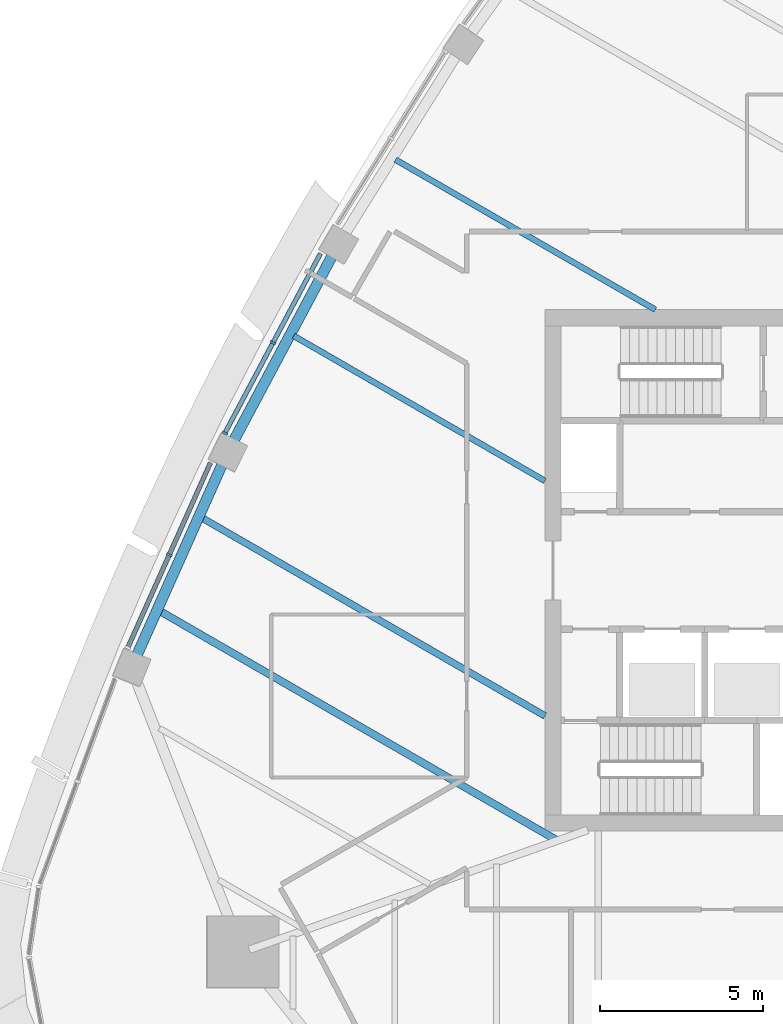
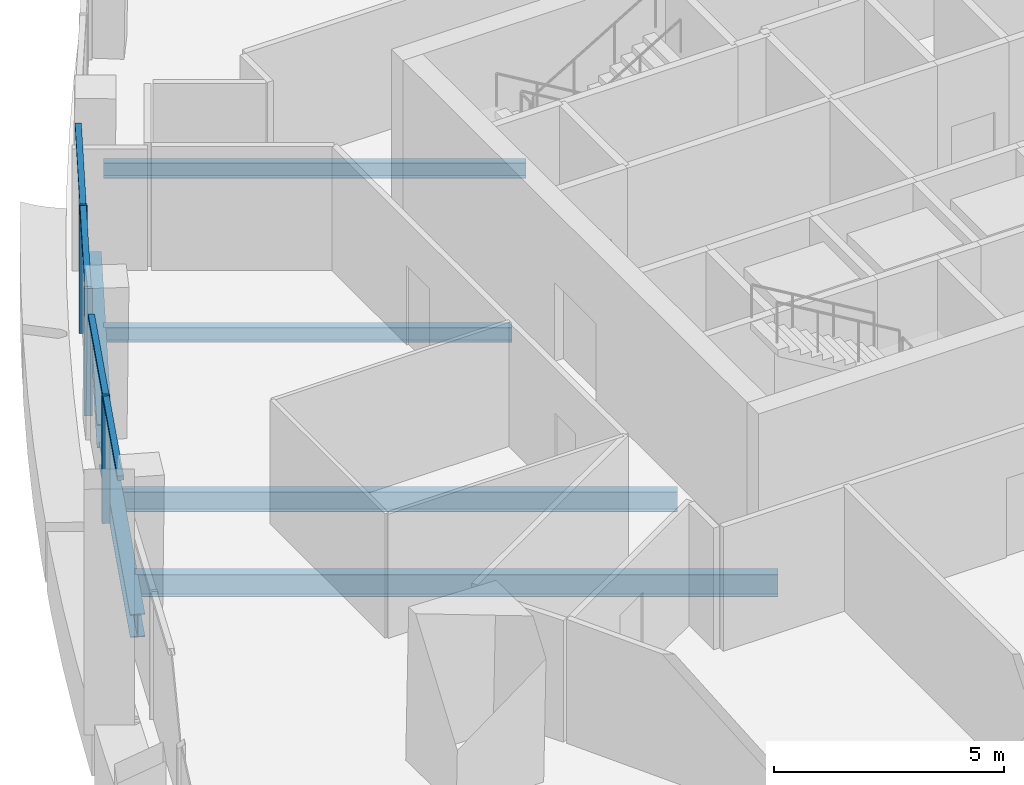
# One storey, part 3 of 16: 7 members, 6 beams, 2 elements without a shape of their own.
"""IFC4 building model written with IfcOpenShell, lengths in metres."""

from ifc_helpers import new_model, si_unit, direction, frame, origin, origin_2d, place, context, subcontext, project, spatial, rectangle, i_section, extrude, material, layer, layer_set, material_profile, profile_set, type_object, element, aggregate, save


model = new_model("IFC4")

# Units and contexts
model_context = context("Model", 3, precision=1e-05, world=origin(), true_north=direction((0.0, 1.0)))
body_context = subcontext(model_context, "Body", "Model", "MODEL_VIEW")
ifc_project = project(units=[si_unit("LENGTHUNIT", "METRE"), si_unit("AREAUNIT", "SQUARE_METRE"), si_unit("VOLUMEUNIT", "CUBIC_METRE"), si_unit("PLANEANGLEUNIT", "RADIAN"), si_unit("MASSUNIT", "GRAM", prefix="KILO")], contexts=[model_context])

# Site, building, storey
site_placement = place(None, origin())
site = spatial("IfcSite", under=ifc_project, at=site_placement, CompositionType="ELEMENT")
building_placement = place(site_placement, origin())
building = spatial("IfcBuilding", under=site, at=building_placement, Name="Sierra Prisma Convention Tower", CompositionType="ELEMENT")
storey_placement = place(building_placement, frame((0.0, 0.0, 303.0)))
storey = spatial("IfcBuildingStorey", under=building, at=storey_placement, Name="L69", CompositionType="ELEMENT", Elevation=303.0)

# Curtain wall, members
ifc_material_1 = material(Name="Aluminium and glass curtain wall", Category="aluminium")
ifc_layer = layer(ifc_material_1, 0.179931640625)
ifc_layer_set = layer_set([ifc_layer], Name="CW-1 Plain shaft curtain wall")
curtain_wall_type = type_object("IfcCurtainWallType", Name="CW-1 Plain shaft curtain wall", PredefinedType="NOTDEFINED", material=ifc_layer_set)
curtain_wall_1_placement = place(storey_placement, origin())
curtain_wall_1 = element("IfcCurtainWall", 1, at=curtain_wall_1_placement, inside=storey, type_object=curtain_wall_type, Name="CW-1 NW4 L69", PredefinedType="NOTDEFINED")
ifc_material_2 = material(Name="Aluminium 6063-T6 bronze anodised", Category="aluminium")
ifc_material_profile_1 = material_profile(ifc_material_2, rectangle(XDim=0.179931640625, YDim=0.070068359375, at=origin_2d()), Name="ALU MULLION 70x180")
ifc_profile_set_1 = profile_set([ifc_material_profile_1], Name="Aluminium 6063-T6 bronze anodised")
member_type_1 = type_object("IfcMemberType", Name="CW mullion bronze", PredefinedType="MULLION", material=ifc_profile_set_1)
member_1_placement = place(storey_placement, frame((-19.343994140625, 6.985107421875, 0.0), z_axis=(0.0, 0.0, 1.0), x_axis=(0.882745768911, -0.469850941757, 0.0)))
member_1 = element("IfcMember", 2, at=member_1_placement, type_object=member_type_1, Name="CW-1 mullion NW4.2", PredefinedType="MULLION", context=body_context, shape_type="SweptSolid", body=[
    extrude(rectangle(XDim=0.179931640625, YDim=0.070068359375, at=origin_2d()), origin(), (0.0, 0.0, 1.0), 3.39990234375),
])
member_2_placement = place(storey_placement, frame((-20.8193359375, 4.21337890625, 0.0), z_axis=(0.0, 0.0, 1.0), x_axis=(0.882745768911, -0.469850941757, 0.0)))
member_2 = element("IfcMember", 3, at=member_2_placement, type_object=member_type_1, Name="CW-1 mullion NW4.3", PredefinedType="MULLION", context=body_context, shape_type="SweptSolid", body=[
    extrude(rectangle(XDim=0.179931640625, YDim=0.070068359375, at=origin_2d()), origin(), (0.0, 0.0, 1.0), 3.39990234375),
])

# Curtain wall, member
curtain_wall_2_placement = place(storey_placement, origin())
curtain_wall_2 = element("IfcCurtainWall", 4, at=curtain_wall_2_placement, inside=storey, type_object=curtain_wall_type, Name="CW-1 NW5 L69", PredefinedType="NOTDEFINED")
member_3_placement = place(storey_placement, frame((-22.525146484375, 0.4794921875, 0.0), z_axis=(0.0, 0.0, 1.0), x_axis=(0.913020347147, -0.407914017527, 0.0)))
member_3 = element("IfcMember", 5, at=member_3_placement, type_object=member_type_1, Name="CW-1 mullion NW5.2", PredefinedType="MULLION", context=body_context, shape_type="SweptSolid", body=[
    extrude(rectangle(XDim=0.179931640625, YDim=0.070068359375, at=origin_2d()), origin(), (0.0, 0.0, 1.0), 3.39990234375),
])

# Member
ifc_material_3 = material(Name="Aluminium 6063-T6 bronze anodised", Category="aluminium")
ifc_material_profile_2 = material_profile(ifc_material_3, rectangle(XDim=0.139892578125, YDim=0.1201171875, at=origin_2d()), Name="ALU TRANSOM 120x140")
ifc_profile_set_2 = profile_set([ifc_material_profile_2], Name="Aluminium 6063-T6 bronze anodised")
member_type_2 = type_object("IfcMemberType", Name="CW transom bronze", PredefinedType="USERDEFINED", material=ifc_profile_set_2)
member_4_placement = place(storey_placement, frame((-17.88525390625, 9.72607421875, 3.340087890625), z_axis=(-0.46984508333, -0.882748887097, 0.0), x_axis=(0.882748887097, -0.46984508333, 0.0)))
member_4 = element("IfcMember", 6, at=member_4_placement, type_object=member_type_2, Name="CW-1 transom NW4.1", ObjectType="TRANSOM", PredefinedType="USERDEFINED", context=body_context, shape_type="SweptSolid", body=[
    extrude(rectangle(XDim=0.139892578125, YDim=0.1201171875, at=origin_2d()), origin(), (0.0, 0.0, 1.0), 3.06982421875),
])

member_5_placement = place(storey_placement, frame((-19.360595703125, 6.954345703125, 3.340087890625), z_axis=(-0.46984508333, -0.882748887097, 0.0), x_axis=(0.882748887097, -0.46984508333, 0.0)))
member_5 = element("IfcMember", 7, at=member_5_placement, type_object=member_type_2, Name="CW-1 transom NW4.2", ObjectType="TRANSOM", PredefinedType="USERDEFINED", context=body_context, shape_type="SweptSolid", body=[
    extrude(rectangle(XDim=0.139892578125, YDim=0.1201171875, at=origin_2d()), origin(), (0.0, 0.0, 1.0), 3.06982421875),
])

aggregate(curtain_wall_1, [member_1, member_2, member_4, member_5])

member_6_placement = place(storey_placement, frame((-21.264892578125, 3.300048828125, 3.340087890625), z_axis=(-0.407910289811, -0.913022012586, 0.0), x_axis=(0.913022012586, -0.407910289811, 0.0)))
member_6 = element("IfcMember", 8, at=member_6_placement, type_object=member_type_2, Name="CW-1 transom NW5.1", ObjectType="TRANSOM", PredefinedType="USERDEFINED", context=body_context, shape_type="SweptSolid", body=[
    extrude(rectangle(XDim=0.139892578125, YDim=0.1201171875, at=origin_2d()), origin(), (0.0, 0.0, 1.0), 3.05419921875),
])

member_7_placement = place(storey_placement, frame((-22.539306640625, 0.44775390625, 3.340087890625), z_axis=(-0.407910289811, -0.913022012586, 0.0), x_axis=(0.913022012586, -0.407910289811, 0.0)))
member_7 = element("IfcMember", 9, at=member_7_placement, type_object=member_type_2, Name="CW-1 transom NW5.2", ObjectType="TRANSOM", PredefinedType="USERDEFINED", context=body_context, shape_type="SweptSolid", body=[
    extrude(rectangle(XDim=0.139892578125, YDim=0.1201171875, at=origin_2d()), origin(), (0.0, 0.0, 1.0), 3.05419921875),
])

aggregate(curtain_wall_2, [member_3, member_6, member_7])

# Beams
ifc_material_4 = material(Name="Steel ASTM A992 Gr 50", Category="steel")
ifc_material_profile_3 = material_profile(ifc_material_4, i_section(OverallWidth=0.177978515625, OverallDepth=0.406982421875, WebThickness=0.0078125, FlangeThickness=0.0126953125, at=origin_2d()), Name="W410x60")
ifc_profile_set_3 = profile_set([ifc_material_profile_3], Name="Steel ASTM A992 Gr 50")
beam_type_1 = type_object("IfcBeamType", Name="Floor joist W410x60", PredefinedType="JOIST", material=ifc_profile_set_3)
beam_1_placement = place(storey_placement, frame((-15.58642578125, 12.60302734375, -0.353515625), z_axis=(0.866031463807, -0.499989503586, 0.0), x_axis=(0.499989503586, 0.866031463807, 0.0)))
element("IfcBeam", 10, at=beam_1_placement, inside=storey, type_object=beam_type_1, Name="Floor joist L69 NW06", PredefinedType="JOIST", context=body_context, shape_type="SweptSolid", body=[
    extrude(i_section(OverallWidth=0.177978515625, OverallDepth=0.406982421875, WebThickness=0.0078125, FlangeThickness=0.0126953125, at=origin_2d()), origin(), (0.0, 0.0, 1.0), 9.206298828125),
])
beam_2_placement = place(storey_placement, frame((-18.707763671875, 7.196533203125, -0.353515625), z_axis=(0.866031643847, -0.499989191739, 0.0), x_axis=(0.499989191739, 0.866031643847, 0.0)))
element("IfcBeam", 11, at=beam_2_placement, inside=storey, type_object=beam_type_1, Name="Floor joist L69 NW08", PredefinedType="JOIST", context=body_context, shape_type="SweptSolid", body=[
    extrude(i_section(OverallWidth=0.177978515625, OverallDepth=0.406982421875, WebThickness=0.0078125, FlangeThickness=0.0126953125, at=origin_2d()), origin(), (0.0, 0.0, 1.0), 8.900146484375),
])
ifc_material_5 = material(Name="Steel ASTM A992 Gr 50", Category="steel")
ifc_material_profile_4 = material_profile(ifc_material_5, i_section(OverallWidth=0.208984375, OverallDepth=0.532958984375, WebThickness=0.01025390625, FlangeThickness=0.015625, at=origin_2d()), Name="W530x92")
ifc_profile_set_4 = profile_set([ifc_material_profile_4], Name="Steel ASTM A992 Gr 50")
beam_type_2 = type_object("IfcBeamType", Name="Floor joist W530x92", PredefinedType="JOIST", material=ifc_profile_set_4)
beam_3_placement = place(storey_placement, frame((-21.51416015625, 1.6083984375, -0.41650390625), z_axis=(0.866026855273, -0.49999748594, 0.0), x_axis=(0.49999748594, 0.866026855273, 0.0)))
element("IfcBeam", 12, at=beam_3_placement, inside=storey, type_object=beam_type_2, Name="Floor joist L69 NW10", PredefinedType="JOIST", context=body_context, shape_type="SweptSolid", body=[
    extrude(i_section(OverallWidth=0.208984375, OverallDepth=0.532958984375, WebThickness=0.01025390625, FlangeThickness=0.015625, at=origin_2d()), origin(), (0.0, 0.0, 1.0), 12.140625),
])
ifc_material_6 = material(Name="Steel ASTM A992 Gr 50", Category="steel")
ifc_material_profile_5 = material_profile(ifc_material_6, i_section(OverallWidth=0.22802734375, OverallDepth=0.60302734375, WebThickness=0.010498046875, FlangeThickness=0.014892578125, at=origin_2d()), Name="W610x101")
ifc_profile_set_5 = profile_set([ifc_material_profile_5], Name="Steel ASTM A992 Gr 50")
beam_type_3 = type_object("IfcBeamType", Name="Floor joist W610x101", PredefinedType="JOIST", material=ifc_profile_set_5)
beam_4_placement = place(storey_placement, frame((-22.794189453125, -1.2568359375, -0.451416015625), z_axis=(0.866022121337, -0.500005685323, 0.0), x_axis=(0.500005685323, 0.866022121337, 0.0)))
element("IfcBeam", 13, at=beam_4_placement, inside=storey, type_object=beam_type_3, Name="Floor joist L69 NW11", PredefinedType="JOIST", context=body_context, shape_type="SweptSolid", body=[
    extrude(i_section(OverallWidth=0.22802734375, OverallDepth=0.60302734375, WebThickness=0.010498046875, FlangeThickness=0.014892578125, at=origin_2d()), origin(), (0.0, 0.0, 1.0), 14.002685546875),
])
ifc_material_7 = material(Name="Steel ASTM A992 Gr 50", Category="steel")
ifc_material_profile_6 = material_profile(ifc_material_7, i_section(OverallWidth=0.324951171875, OverallDepth=0.615966796875, WebThickness=0.013916015625, FlangeThickness=0.021484375, at=origin_2d()), Name="W610x174")
ifc_profile_set_6 = profile_set([ifc_material_profile_6], Name="Steel ASTM A992 Gr 50")
beam_type_4 = type_object("IfcBeamType", Name="Spandrel beam W610x174", PredefinedType="BEAM", material=ifc_profile_set_6)
beam_5_placement = place(storey_placement, frame((-17.492919921875, 9.718505859375, -0.4580078125), z_axis=(-0.469859811705, -0.882741047729, 0.0), x_axis=(0.882741047729, -0.469859811705, 0.0)))
element("IfcBeam", 14, at=beam_5_placement, inside=storey, type_object=beam_type_4, Name="Spandrel L69-16", PredefinedType="BEAM", context=body_context, shape_type="SweptSolid", body=[
    extrude(i_section(OverallWidth=0.324951171875, OverallDepth=0.615966796875, WebThickness=0.013916015625, FlangeThickness=0.021484375, at=origin_2d()), origin(), (0.0, 0.0, 1.0), 6.5771484375),
])
beam_6_placement = place(storey_placement, frame((-20.873046875, 3.319580078125, -0.4580078125), z_axis=(-0.407935453853, -0.913010769646, 0.0), x_axis=(0.913010769646, -0.407935453853, 0.0)))
element("IfcBeam", 15, at=beam_6_placement, inside=storey, type_object=beam_type_4, Name="Spandrel L69-17", PredefinedType="BEAM", context=body_context, shape_type="SweptSolid", body=[
    extrude(i_section(OverallWidth=0.324951171875, OverallDepth=0.615966796875, WebThickness=0.013916015625, FlangeThickness=0.021484375, at=origin_2d()), origin(), (0.0, 0.0, 1.0), 6.577392578125),
])

save(model, "model.ifc")
